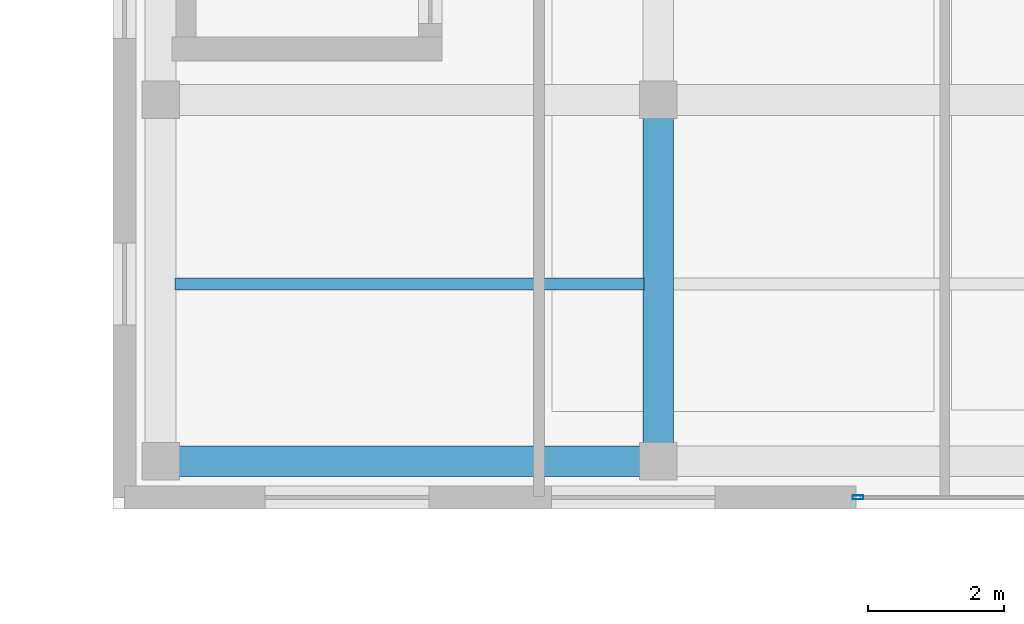
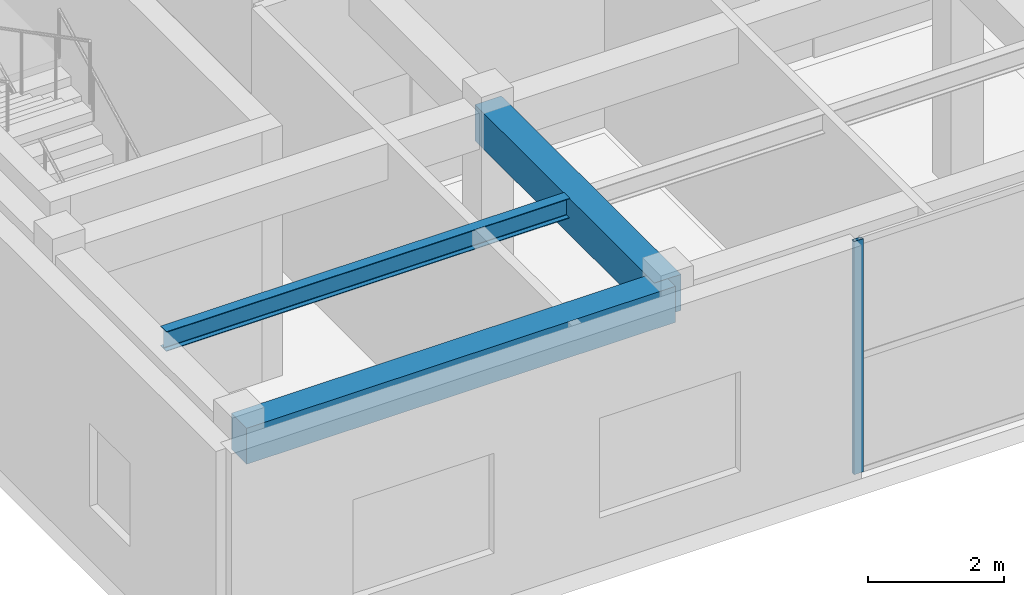
# One storey, part 10 of 33: 3 beams, 1 member, 1 element without a shape of its own.
"""IFC4 building model written with IfcOpenShell, lengths in metres."""

from ifc_helpers import new_model, si_unit, direction, frame, origin, origin_2d, place, context, subcontext, project, spatial, rectangle, hollow_rectangle, i_section, extrude, source, transform, mapped, material, layer, layer_set, material_profile, profile_set, type_object, element, aggregate, save


model = new_model("IFC4")

# Units and contexts
model_context = context("Model", 3, precision=1e-05, world=origin(), true_north=direction((0.0, 1.0)))
body_context = subcontext(model_context, "Body", "Model", "MODEL_VIEW")
ifc_project = project(units=[si_unit("LENGTHUNIT", "METRE"), si_unit("AREAUNIT", "SQUARE_METRE"), si_unit("VOLUMEUNIT", "CUBIC_METRE"), si_unit("PLANEANGLEUNIT", "RADIAN"), si_unit("MASSUNIT", "GRAM", prefix="KILO")], contexts=[model_context])

# Site, building, storey
site_placement = place(None, origin())
site = spatial("IfcSite", under=ifc_project, at=site_placement, CompositionType="ELEMENT")
building_placement = place(site_placement, origin())
building = spatial("IfcBuilding", under=site, at=building_placement, Name="Khoralis Quay Care Tower", CompositionType="ELEMENT")
storey_placement = place(building_placement, frame((0.0, 0.0, 18.0)))
storey = spatial("IfcBuildingStorey", under=building, at=storey_placement, Name="L04", CompositionType="ELEMENT", Elevation=18.0)

# Beams
ifc_material_1 = material(Name="Concrete C40/50", Category="concrete")
ifc_material_profile_1 = material_profile(ifc_material_1, rectangle(XDim=0.449951171875, YDim=0.64990234375, at=origin_2d()), Name="Concrete C40/50")
ifc_profile_set_1 = profile_set([ifc_material_profile_1], Name="Concrete C40/50")
beam_type_1 = type_object("IfcBeamType", Name="BM-RC450X650", PredefinedType="BEAM", material=ifc_profile_set_1)
shared_shape_1 = source(origin(), body_context, "Body", "SweptSolid", [
    extrude(rectangle(XDim=0.449951171875, YDim=0.64990234375, at=origin_2d()), origin(), (0.0, 0.0, 1.0), 7.300048828125),
])
beam_1_placement = place(storey_placement, frame((68.699951171875, 6.699951171875, 3.864990234375), z_axis=(1.0, 0.0, 0.0), x_axis=(0.0, 1.0, 0.0)))
element("IfcBeam", 1, at=beam_1_placement, inside=storey, type_object=beam_type_1, Name="BM-SCX-L04-01", PredefinedType="BEAM", context=body_context, shape_type="MappedRepresentation", body=[
    mapped(shared_shape_1, transform((0.0, 0.0, 0.0), scale=1.0)),
])
shared_shape_2 = source(origin(), body_context, "Body", "SweptSolid", [
    extrude(rectangle(XDim=0.449951171875, YDim=0.64990234375, at=origin_2d()), origin(), (0.0, 0.0, 1.0), 5.300048828125),
])
beam_2_placement = place(storey_placement, frame((76.0, 6.699951171875, 3.864990234375), z_axis=(0.0, 1.0, 0.0), x_axis=(-1.0, 0.0, 0.0)))
element("IfcBeam", 2, at=beam_2_placement, inside=storey, type_object=beam_type_1, Name="BM-SCY-L04-30", PredefinedType="BEAM", context=body_context, shape_type="MappedRepresentation", body=[
    mapped(shared_shape_2, transform((0.0, 0.0, 0.0), scale=1.0)),
])
ifc_material_2 = material(Name="Steel S355", Category="steel")
ifc_material_profile_2 = material_profile(ifc_material_2, i_section(OverallWidth=0.1708984375, OverallDepth=0.35498046875, WebThickness=0.007080078125, FlangeThickness=0.01171875, FilletRadius=0.012939453125, at=origin_2d()), Name="Steel S355")
ifc_profile_set_2 = profile_set([ifc_material_profile_2], Name="Steel S355")
beam_type_2 = type_object("IfcBeamType", Name="BM-W360X51", PredefinedType="JOIST", material=ifc_profile_set_2)
shared_shape_3 = source(origin(), body_context, "Body", "SweptSolid", [
    extrude(i_section(OverallWidth=0.1708984375, OverallDepth=0.35498046875, WebThickness=0.007080078125, FlangeThickness=0.01171875, FilletRadius=0.012939453125, at=origin_2d()), origin(), (0.0, 0.0, 1.0), 6.8740234375),
])
beam_3_placement = place(storey_placement, frame((68.9130859375, 9.300048828125, 4.012451171875), z_axis=(1.0, 0.0, 0.0), x_axis=(0.0, 1.0, 0.0)))
element("IfcBeam", 3, at=beam_3_placement, inside=storey, type_object=beam_type_2, Name="BM-SCJ-L04-51", PredefinedType="JOIST", context=body_context, shape_type="MappedRepresentation", body=[
    mapped(shared_shape_3, transform((0.0, 0.0, 0.0), scale=1.0)),
])

# Curtain wall, member
ifc_material_3 = material(Name="Pale anodised aluminium", Category="aluminium")
ifc_layer = layer(ifc_material_3, 0.14990234375)
ifc_layer_set = layer_set([ifc_layer], Name="Pale anodised aluminium")
curtain_wall_type = type_object("IfcCurtainWallType", Name="CW-SYS-SCHOOL", PredefinedType="NOTDEFINED", material=ifc_layer_set)
curtain_wall_placement = place(storey_placement, origin())
curtain_wall = element("IfcCurtainWall", 4, at=curtain_wall_placement, inside=storey, type_object=curtain_wall_type, Name="L04 Unitised Curtain Wall CW-SCH-L04-E0", PredefinedType="NOTDEFINED")
ifc_material_profile_3 = material_profile(ifc_material_3, hollow_rectangle(XDim=0.06005859375, YDim=0.159912109375, WallThickness=0.00390625, at=origin_2d()), Name="Pale anodised aluminium")
ifc_profile_set_3 = profile_set([ifc_material_profile_3], Name="Pale anodised aluminium")
member_type = type_object("IfcMemberType", Name="CW-MUL-160", PredefinedType="MULLION", material=ifc_profile_set_3)
shared_shape_4 = source(origin(), body_context, "Body", "SweptSolid", [
    extrude(hollow_rectangle(XDim=0.06005859375, YDim=0.159912109375, WallThickness=0.00390625, at=origin_2d()), origin(), (0.0, 0.0, 1.0), 4.199951171875),
])
member_placement = place(storey_placement, frame((78.927978515625, 6.169921875, 0.0), z_axis=(0.0, 0.0, 1.0), x_axis=(0.0, 1.0, 0.0)))
member = element("IfcMember", 5, at=member_placement, type_object=member_type, Name="CW6 mullion 1", PredefinedType="MULLION", context=body_context, shape_type="MappedRepresentation", body=[
    mapped(shared_shape_4, transform((0.0, 0.0, 0.0), scale=1.0)),
])
aggregate(curtain_wall, [member])

save(model, "model.ifc")
